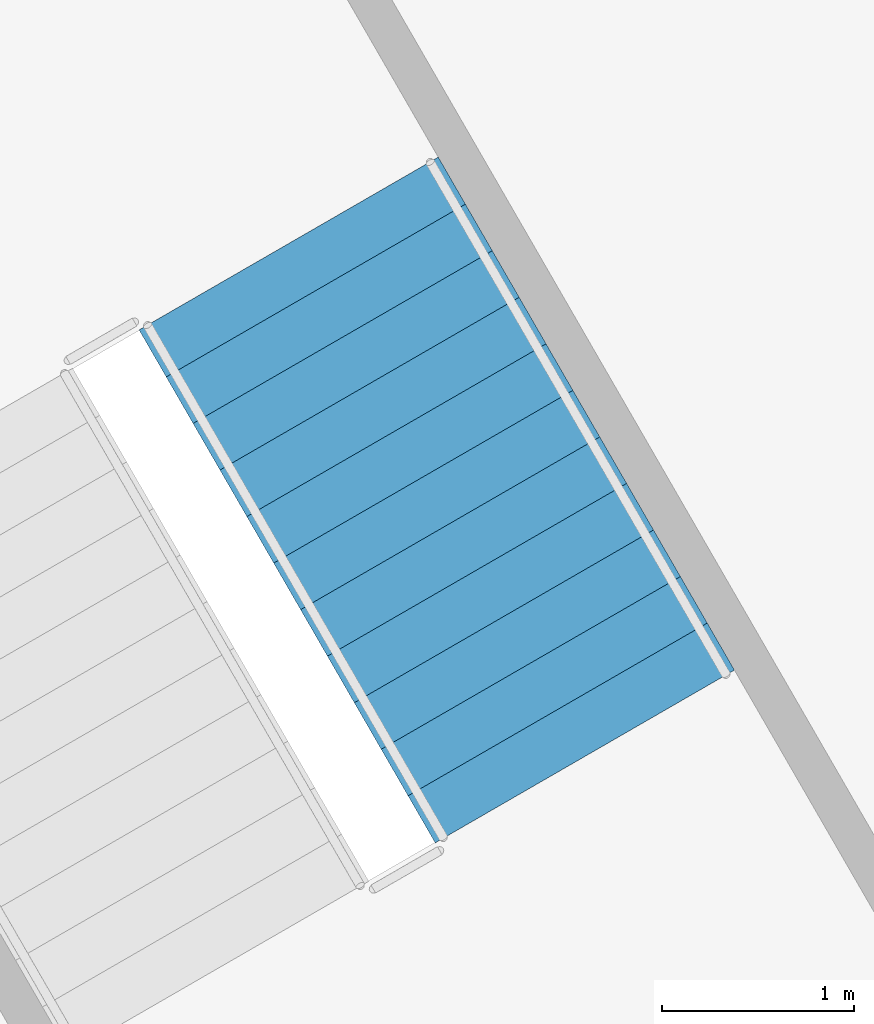
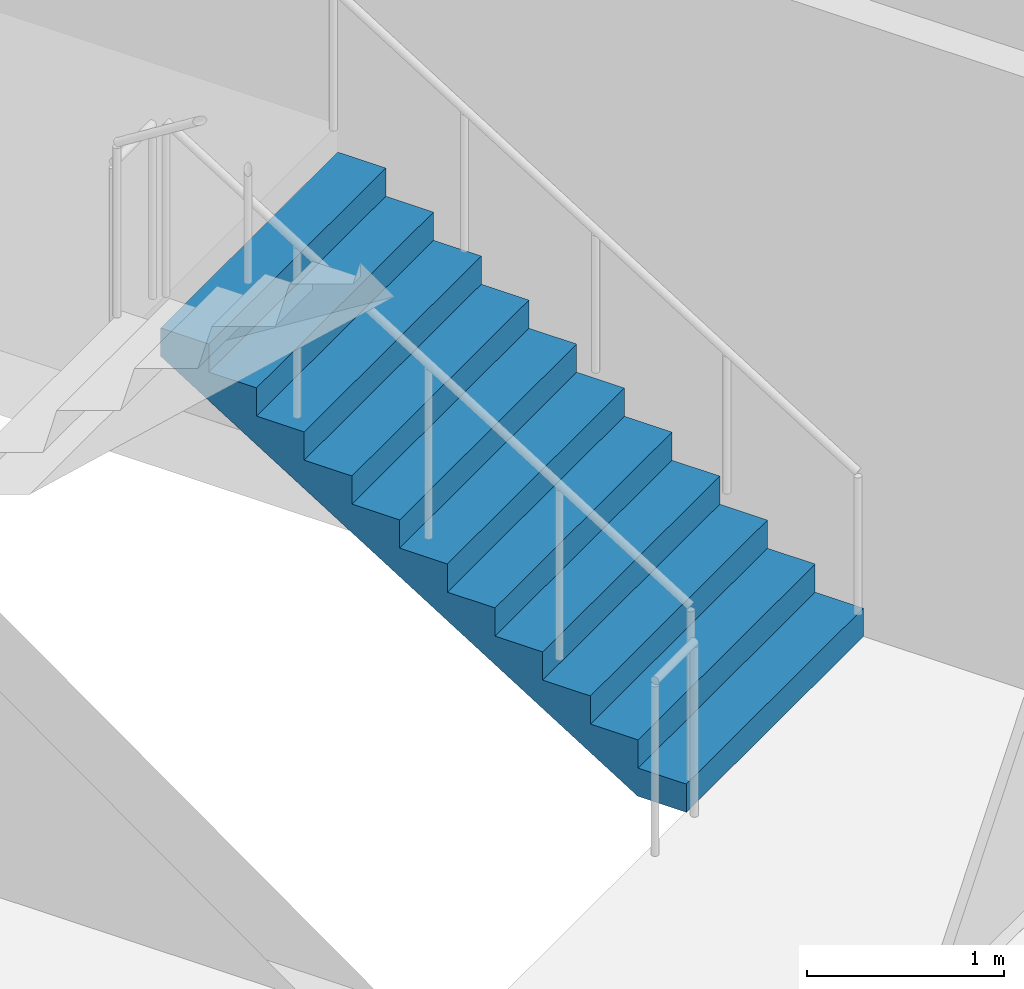
# One storey, part 13 of 17: 1 stair flight, 1 element without a shape of its own.
"""IFC4 building model written with IfcOpenShell, lengths in metres."""

from ifc_helpers import new_model, si_unit, direction, frame, origin, place, context, subcontext, project, spatial, polyline, outline, extrude, material, type_object, element, aggregate, save


model = new_model("IFC4")

# Units and contexts
model_context = context("Model", 3, precision=1e-05, world=origin(), true_north=direction((0.0, 1.0)))
body_context = subcontext(model_context, "Body", "Model", "MODEL_VIEW")
ifc_project = project(units=[si_unit("LENGTHUNIT", "METRE"), si_unit("AREAUNIT", "SQUARE_METRE"), si_unit("VOLUMEUNIT", "CUBIC_METRE"), si_unit("PLANEANGLEUNIT", "RADIAN"), si_unit("MASSUNIT", "GRAM", prefix="KILO")], contexts=[model_context])

# Site, building, storey
site_placement = place(None, origin())
site = spatial("IfcSite", under=ifc_project, at=site_placement, CompositionType="ELEMENT")
building_placement = place(site_placement, origin())
building = spatial("IfcBuilding", under=site, at=building_placement, Name="Entoto Arch Interchange Tower", CompositionType="ELEMENT")
storey_placement = place(building_placement, frame((0.0, 0.0, 72.800048828125)))
storey = spatial("IfcBuildingStorey", under=building, at=storey_placement, Name="L15", CompositionType="ELEMENT", Elevation=72.800048828125)

# Stair, stair flight
ifc_material = material(Name="Concrete C40/50", Category="concrete")
stair_type = type_object("IfcStairType", Name="EXIT STAIR RC 1800", PredefinedType="HALF_TURN_STAIR", material=ifc_material)
stair_placement = place(storey_placement, origin())
stair = element("IfcStair", 1, at=stair_placement, inside=storey, type_object=stair_type, Name="L15 Exit stair NE", PredefinedType="HALF_TURN_STAIR")
stair_flight_type = type_object("IfcStairFlightType", Name="EXIT STAIR FLIGHT RC 1800", PredefinedType="STRAIGHT", material=ifc_material)
stair_flight_placement = place(storey_placement, frame((6.7138671875, 4.470947265625, 0.0), z_axis=(0.0, 0.0, 1.0), x_axis=(-0.5, 0.866025403784, 0.0)))
stair_flight = element("IfcStairFlight", 2, at=stair_flight_placement, type_object=stair_flight_type, Name="ST-NE flight 1", NumberOfRisers=12, NumberOfTreads=11, PredefinedType="STRAIGHT", RiserHeight=0.175, TreadLength=0.28, context=body_context, shape_type="SweptSolid", body=[
    extrude(outline(polyline([(-0.0029296875, 0.0), (-0.0029296875, 0.175048828125), (0.280029296875, 0.175048828125), (0.280029296875, 0.35009765625), (0.56005859375, 0.35009765625), (0.56005859375, 0.52490234375), (0.840087890625, 0.52490234375), (0.840087890625, 0.699951171875), (1.1201171875, 0.699951171875), (1.1201171875, 0.875), (1.39990234375, 0.875), (1.39990234375, 1.050048828125), (1.679931640625, 1.050048828125), (1.679931640625, 1.22509765625), (1.9599609375, 1.22509765625), (1.9599609375, 1.39990234375), (2.239990234375, 1.39990234375), (2.239990234375, 1.574951171875), (2.52001953125, 1.574951171875), (2.52001953125, 1.75), (2.800048828125, 1.75), (2.800048828125, 1.925048828125), (3.080078125, 1.925048828125), (3.0830078125, 1.925048828125), (3.0830078125, 1.75), (0.28271484375, 0.0), (-0.0029296875, 0.0)])), frame((0.0, 0.89990234375, 0.0), z_axis=(0.0, -1.0, 0.0), x_axis=(1.0, 0.0, 0.0)), (0.0, 0.0, 1.0), 1.800048828125),
])
aggregate(stair, [stair_flight])

save(model, "model.ifc")
